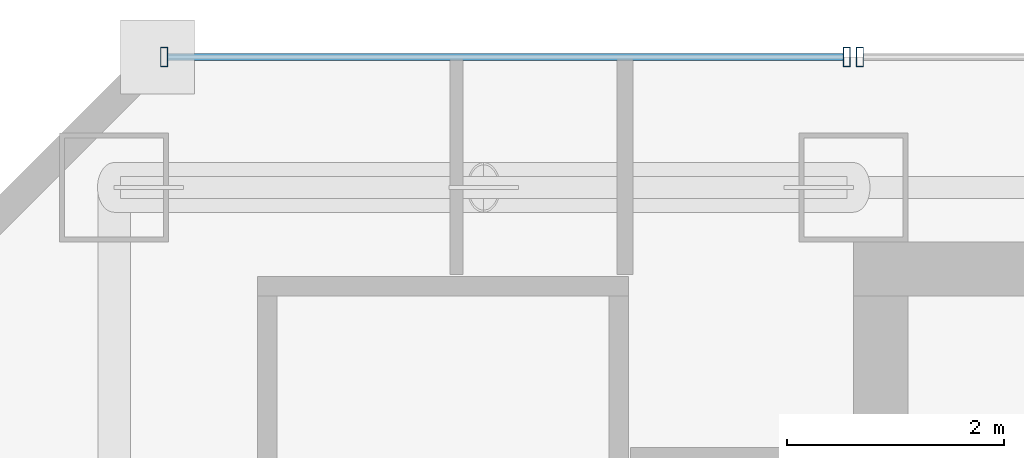
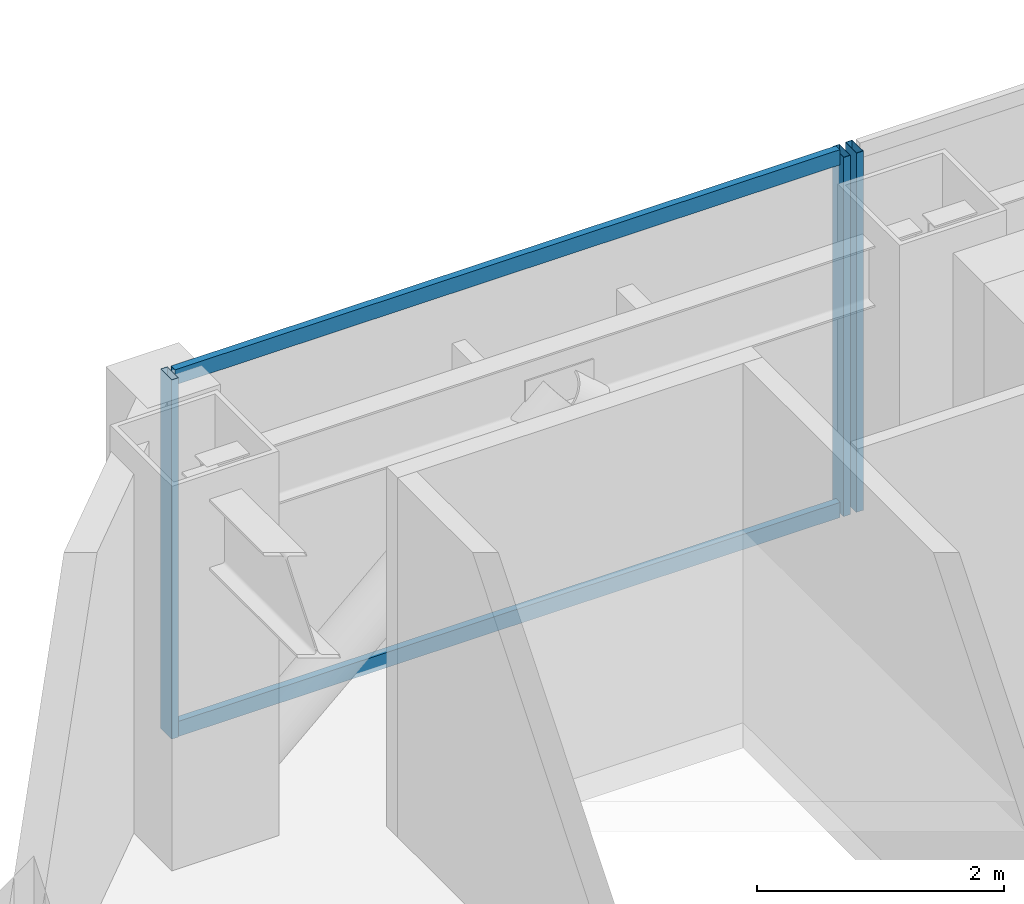
# One storey, part 15 of 31: 5 members, 2 elements without a shape of their own.
"""IFC4 building model written with IfcOpenShell, lengths in metres."""

from ifc_helpers import new_model, si_unit, direction, frame, origin, origin_2d, place, context, subcontext, project, spatial, hollow_rectangle, extrude, material, material_profile, profile_set, type_object, element, aggregate, save


model = new_model("IFC4")

# Units and contexts
model_context = context("Model", 3, precision=1e-05, world=origin(), true_north=direction((0.0, 1.0)))
body_context = subcontext(model_context, "Body", "Model", "MODEL_VIEW")
ifc_project = project(units=[si_unit("LENGTHUNIT", "METRE"), si_unit("AREAUNIT", "SQUARE_METRE"), si_unit("VOLUMEUNIT", "CUBIC_METRE"), si_unit("PLANEANGLEUNIT", "RADIAN"), si_unit("MASSUNIT", "GRAM", prefix="KILO")], contexts=[model_context])

# Site, building, storey
site_placement = place(None, origin())
site = spatial("IfcSite", under=ifc_project, at=site_placement, CompositionType="ELEMENT")
building_placement = place(site_placement, origin())
building = spatial("IfcBuilding", under=site, at=building_placement, Name="Saevonmaru Cultural Tower", CompositionType="ELEMENT")
storey_placement = place(building_placement, frame((0.0, 0.0, 167.60009765625)))
storey = spatial("IfcBuildingStorey", under=building, at=storey_placement, Name="L37", CompositionType="ELEMENT", Elevation=167.60009765625)

# Curtain wall, member
ifc_material = material(Name="Satin Bronze Anodised Aluminium", Category="aluminium")
curtain_wall_type = type_object("IfcCurtainWallType", Name="CW-TYP-A", PredefinedType="NOTDEFINED", material=ifc_material)
curtain_wall_1_placement = place(storey_placement, origin())
curtain_wall_1 = element("IfcCurtainWall", 1, at=curtain_wall_1_placement, inside=storey, type_object=curtain_wall_type, Name="L37 North Spine Unitised Curtain Wall E10B", PredefinedType="NOTDEFINED")
ifc_material_profile_1 = material_profile(ifc_material, hollow_rectangle(XDim=0.06494140625, YDim=0.179931640625, WallThickness=0.00390625, at=origin_2d()), Name="ALU-MULL-180x65x4")
ifc_profile_set_1 = profile_set([ifc_material_profile_1], Name="Satin Bronze Anodised Aluminium")
member_type_1 = type_object("IfcMemberType", Name="ML-CW-180x65", PredefinedType="MULLION", material=ifc_profile_set_1)
member_1_placement = place(storey_placement, frame((13.659912109375, 56.0, 0.0), z_axis=(0.0, 0.0, 1.0), x_axis=(-1.0, 0.0, 0.0)))
member_1 = element("IfcMember", 2, at=member_1_placement, type_object=member_type_1, Name="CW-TW-L37-E10B mullion 4", PredefinedType="MULLION", context=body_context, shape_type="SweptSolid", body=[
    extrude(hollow_rectangle(XDim=0.06494140625, YDim=0.179931640625, WallThickness=0.00390625, at=origin_2d()), origin(), (0.0, 0.0, 1.0), 3.5498046875),
])
aggregate(curtain_wall_1, [member_1])

# Curtain wall, members
curtain_wall_2_placement = place(storey_placement, origin())
curtain_wall_2 = element("IfcCurtainWall", 3, at=curtain_wall_2_placement, inside=storey, type_object=curtain_wall_type, Name="L37 West Braced Bay Spandrel Curtain Wall E10C", PredefinedType="NOTDEFINED")
member_2_placement = place(storey_placement, frame((13.5400390625, 56.0, 0.0), z_axis=(0.0, 0.0, 1.0), x_axis=(-1.0, 0.0, 0.0)))
member_2 = element("IfcMember", 4, at=member_2_placement, type_object=member_type_1, Name="CW-TW-L37-E10C mullion 1", PredefinedType="MULLION", context=body_context, shape_type="SweptSolid", body=[
    extrude(hollow_rectangle(XDim=0.06494140625, YDim=0.179931640625, WallThickness=0.00390625, at=origin_2d()), origin(), (0.0, 0.0, 1.0), 3.5498046875),
])
member_3_placement = place(storey_placement, frame((7.260009765625, 56.0, 0.0), z_axis=(0.0, 0.0, 1.0), x_axis=(-1.0, 0.0, 0.0)))
member_3 = element("IfcMember", 5, at=member_3_placement, type_object=member_type_1, Name="CW-TW-L37-E10C mullion 2", PredefinedType="MULLION", context=body_context, shape_type="SweptSolid", body=[
    extrude(hollow_rectangle(XDim=0.06494140625, YDim=0.179931640625, WallThickness=0.00390625, at=origin_2d()), origin(), (0.0, 0.0, 1.0), 3.5498046875),
])
ifc_material_profile_2 = material_profile(ifc_material, hollow_rectangle(XDim=0.06494140625, YDim=0.14990234375, WallThickness=0.00390625, at=origin_2d()), Name="ALU-TRAN-150x65x4")
ifc_profile_set_2 = profile_set([ifc_material_profile_2], Name="Satin Bronze Anodised Aluminium")
member_type_2 = type_object("IfcMemberType", Name="TR-CW-150x65", PredefinedType="USERDEFINED", material=ifc_profile_set_2)
member_4_placement = place(storey_placement, frame((13.507568359375, 56.0, 0.032470703125), z_axis=(-1.0, 0.0, 0.0), x_axis=(0.0, -1.0, 0.0)))
member_4 = element("IfcMember", 6, at=member_4_placement, type_object=member_type_2, Name="CW-TW-L37-E10C transom 1.1", ObjectType="TRANSOM", PredefinedType="USERDEFINED", context=body_context, shape_type="SweptSolid", body=[
    extrude(hollow_rectangle(XDim=0.06494140625, YDim=0.14990234375, WallThickness=0.00390625, at=origin_2d()), origin(), (0.0, 0.0, 1.0), 6.215087890625),
])
member_5_placement = place(storey_placement, frame((13.507568359375, 56.0, 3.517333984375), z_axis=(-1.0, 0.0, 0.0), x_axis=(0.0, -1.0, 0.0)))
member_5 = element("IfcMember", 7, at=member_5_placement, type_object=member_type_2, Name="CW-TW-L37-E10C transom 1.2", ObjectType="TRANSOM", PredefinedType="USERDEFINED", context=body_context, shape_type="SweptSolid", body=[
    extrude(hollow_rectangle(XDim=0.06494140625, YDim=0.14990234375, WallThickness=0.00390625, at=origin_2d()), origin(), (0.0, 0.0, 1.0), 6.215087890625),
])
aggregate(curtain_wall_2, [member_2, member_3, member_4, member_5])

save(model, "model.ifc")
